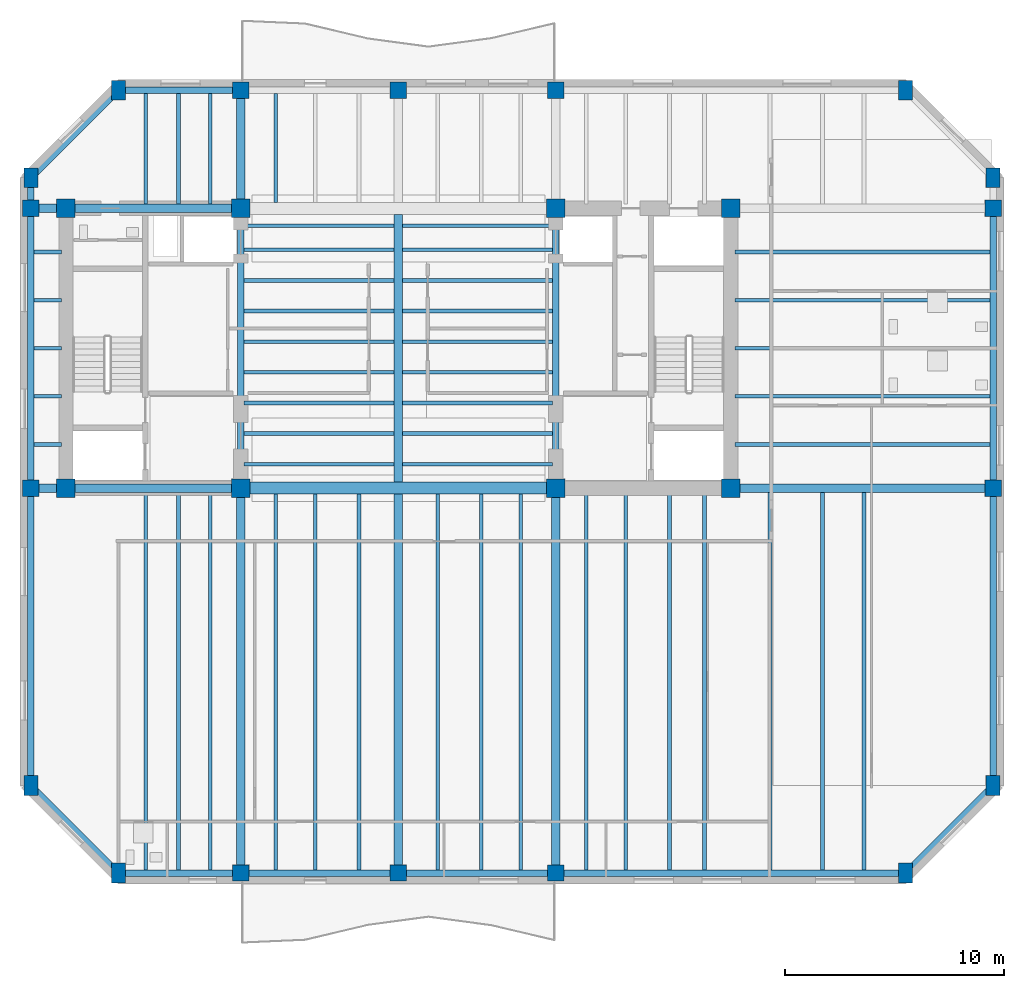
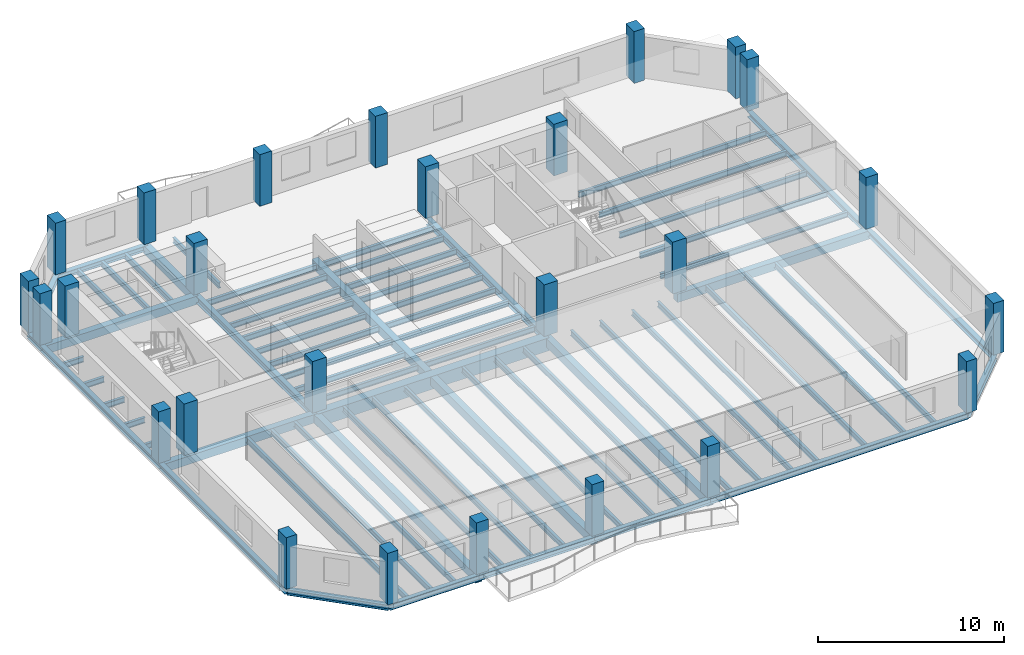
# One storey, part 1 of 9: 72 beams, 26 columns.
"""IFC4 building model written with IfcOpenShell, lengths in metres."""

from ifc_helpers import new_model, si_unit, direction, frame, origin, origin_2d, place, context, subcontext, project, spatial, rectangle, i_section, extrude, material, material_profile, profile_set, type_object, element, save


model = new_model("IFC4")

# Units and contexts
model_context = context("Model", 3, precision=1e-05, world=origin(), true_north=direction((0.0, 1.0)))
body_context = subcontext(model_context, "Body", "Model", "MODEL_VIEW")
ifc_project = project(units=[si_unit("LENGTHUNIT", "METRE"), si_unit("AREAUNIT", "SQUARE_METRE"), si_unit("VOLUMEUNIT", "CUBIC_METRE"), si_unit("PLANEANGLEUNIT", "RADIAN"), si_unit("MASSUNIT", "GRAM", prefix="KILO")], contexts=[model_context])

# Site, building, storey
site_placement = place(None, origin())
site = spatial("IfcSite", under=ifc_project, at=site_placement, CompositionType="ELEMENT")
building_placement = place(site_placement, origin())
building = spatial("IfcBuilding", under=site, at=building_placement, Name="Kranthara Brick Stack", CompositionType="ELEMENT")
storey_placement = place(building_placement, frame((0.0, 0.0, 238.10009765625)))
storey = spatial("IfcBuildingStorey", under=building, at=storey_placement, Name="L62", CompositionType="ELEMENT", Elevation=238.10009765625)

# Columns
ifc_material_1 = material(Name="Concrete C50/60", Category="concrete")
ifc_material_profile_1 = material_profile(ifc_material_1, rectangle(XDim=0.64990234375, YDim=0.89990234375, at=origin_2d()), Name="RC 650x900")
ifc_profile_set_1 = profile_set([ifc_material_profile_1], Name="Concrete C50/60")
column_type_1 = type_object("IfcColumnType", Name="COL-CHAM-650x900", PredefinedType="COLUMN", material=ifc_profile_set_1)
for number, where, z_axis, x_axis, name in (
    (1, (15.199951171875, 3.199951171875, 0.0), (0.0, 0.0, 1.0), (1.0, 0.0, 0.0), "L62 Column 09"),
    (2, (15.199951171875, 39.0, 0.0), (0.0, 0.0, 1.0), (1.0, 0.0, 0.0), "L62 Column 10"),
    (3, (51.199951171875, 3.199951171875, 0.0), (0.0, 0.0, 1.0), (1.0, 0.0, 0.0), "L62 Column 17"),
    (4, (51.199951171875, 39.0, 0.0), (0.0, 0.0, 1.0), (1.0, 0.0, 0.0), "L62 Column 18"),
    (5, (11.199951171875, 7.199951171875, 0.0), (0.0, 0.0, 1.0), (1.0, 0.0, 0.0), "L62 Column 19"),
    (6, (55.199951171875, 7.199951171875, 0.0), (0.0, 0.0, 1.0), (1.0, 0.0, 0.0), "L62 Column 20"),
    (7, (11.199951171875, 35.0, 0.0), (0.0, 0.0, 1.0), (1.0, 0.0, 0.0), "L62 Column 25"),
    (8, (55.199951171875, 35.0, 0.0), (0.0, 0.0, 1.0), (1.0, 0.0, 0.0), "L62 Column 26"),
):
    element("IfcColumn", number, at=place(storey_placement, frame(where, z_axis=z_axis, x_axis=x_axis)), inside=storey, type_object=column_type_1, Name=name, PredefinedType="COLUMN", context=body_context, shape_type="SweptSolid", body=[
        extrude(rectangle(XDim=0.64990234375, YDim=0.89990234375, at=origin_2d()), origin(), (0.0, 0.0, 1.0), 3.39990234375),
    ])
ifc_material_2 = material(Name="Concrete C50/60", Category="concrete")
ifc_material_profile_2 = material_profile(ifc_material_2, rectangle(XDim=0.85009765625, YDim=0.85009765625, at=origin_2d()), Name="RC 850x850")
ifc_profile_set_2 = profile_set([ifc_material_profile_2], Name="Concrete C50/60")
column_type_2 = type_object("IfcColumnType", Name="COL-CORE-850", PredefinedType="COLUMN", material=ifc_profile_set_2)
for number, where, z_axis, x_axis, name in (
    (9, (12.800048828125, 20.800048828125, 0.0), (0.0, 0.0, 1.0), (1.0, 0.0, 0.0), "L62 Column 01"),
    (10, (20.800048828125, 20.800048828125, 0.0), (0.0, 0.0, 1.0), (1.0, 0.0, 0.0), "L62 Column 02"),
    (11, (12.800048828125, 33.60009765625, 0.0), (0.0, 0.0, 1.0), (1.0, 0.0, 0.0), "L62 Column 03"),
    (12, (20.800048828125, 33.60009765625, 0.0), (0.0, 0.0, 1.0), (1.0, 0.0, 0.0), "L62 Column 04"),
    (13, (35.199951171875, 20.800048828125, 0.0), (0.0, 0.0, 1.0), (1.0, 0.0, 0.0), "L62 Column 05"),
    (14, (43.199951171875, 20.800048828125, 0.0), (0.0, 0.0, 1.0), (1.0, 0.0, 0.0), "L62 Column 06"),
    (15, (35.199951171875, 33.60009765625, 0.0), (0.0, 0.0, 1.0), (1.0, 0.0, 0.0), "L62 Column 07"),
    (16, (43.199951171875, 33.60009765625, 0.0), (0.0, 0.0, 1.0), (1.0, 0.0, 0.0), "L62 Column 08"),
):
    element("IfcColumn", number, at=place(storey_placement, frame(where, z_axis=z_axis, x_axis=x_axis)), inside=storey, type_object=column_type_2, Name=name, PredefinedType="COLUMN", context=body_context, shape_type="SweptSolid", body=[
        extrude(rectangle(XDim=0.85009765625, YDim=0.85009765625, at=origin_2d()), origin(), (0.0, 0.0, 1.0), 3.39990234375),
    ])
ifc_material_3 = material(Name="Concrete C50/60", Category="concrete")
ifc_material_profile_3 = material_profile(ifc_material_3, rectangle(XDim=0.75, YDim=0.75, at=origin_2d()), Name="RC 750x750")
ifc_profile_set_3 = profile_set([ifc_material_profile_3], Name="Concrete C50/60")
column_type_3 = type_object("IfcColumnType", Name="COL-PER-750", PredefinedType="COLUMN", material=ifc_profile_set_3)
for number, where, z_axis, x_axis, name in (
    (17, (20.800048828125, 3.199951171875, 0.0), (0.0, 0.0, 1.0), (1.0, 0.0, 0.0), "L62 Column 11"),
    (18, (20.800048828125, 39.0, 0.0), (0.0, 0.0, 1.0), (1.0, 0.0, 0.0), "L62 Column 12"),
    (19, (28.0, 3.199951171875, 0.0), (0.0, 0.0, 1.0), (1.0, 0.0, 0.0), "L62 Column 13"),
    (20, (28.0, 39.0, 0.0), (0.0, 0.0, 1.0), (1.0, 0.0, 0.0), "L62 Column 14"),
    (21, (35.199951171875, 3.199951171875, 0.0), (0.0, 0.0, 1.0), (1.0, 0.0, 0.0), "L62 Column 15"),
    (22, (35.199951171875, 39.0, 0.0), (0.0, 0.0, 1.0), (1.0, 0.0, 0.0), "L62 Column 16"),
    (23, (11.199951171875, 20.800048828125, 0.0), (0.0, 0.0, 1.0), (1.0, 0.0, 0.0), "L62 Column 21"),
    (24, (55.199951171875, 20.800048828125, 0.0), (0.0, 0.0, 1.0), (1.0, 0.0, 0.0), "L62 Column 22"),
    (25, (11.199951171875, 33.60009765625, 0.0), (0.0, 0.0, 1.0), (1.0, 0.0, 0.0), "L62 Column 23"),
    (26, (55.199951171875, 33.60009765625, 0.0), (0.0, 0.0, 1.0), (1.0, 0.0, 0.0), "L62 Column 24"),
):
    element("IfcColumn", number, at=place(storey_placement, frame(where, z_axis=z_axis, x_axis=x_axis)), inside=storey, type_object=column_type_3, Name=name, PredefinedType="COLUMN", context=body_context, shape_type="SweptSolid", body=[
        extrude(rectangle(XDim=0.75, YDim=0.75, at=origin_2d()), origin(), (0.0, 0.0, 1.0), 3.39990234375),
    ])

# Beams
ifc_material_4 = material(Name="Concrete C50/60", Category="concrete")
ifc_material_profile_4 = material_profile(ifc_material_4, rectangle(XDim=0.550048828125, YDim=0.85009765625, at=origin_2d()), Name="RC 550x850")
ifc_profile_set_4 = profile_set([ifc_material_profile_4], Name="Concrete C50/60")
beam_type_1 = type_object("IfcBeamType", Name="BM-CPL-RC850", PredefinedType="LINTEL", material=ifc_profile_set_4)
beam_1_placement = place(storey_placement, frame((20.800048828125, 20.800048828125, -0.72509765625), z_axis=(1.0, 0.0, 0.0), x_axis=(0.0, 1.0, 0.0)))
element("IfcBeam", 27, at=beam_1_placement, inside=storey, type_object=beam_type_1, Name="L62 Core Coupling Beam 001", PredefinedType="LINTEL", context=body_context, shape_type="SweptSolid", body=[
    extrude(rectangle(XDim=0.550048828125, YDim=0.85009765625, at=origin_2d()), origin(), (0.0, 0.0, 1.0), 14.39990234375),
])
ifc_material_5 = material(Name="Post-tensioned concrete C45/55", Category="concrete")
ifc_material_profile_5 = material_profile(ifc_material_5, rectangle(XDim=0.39990234375, YDim=0.550048828125, at=origin_2d()), Name="PT 400x550")
ifc_profile_set_5 = profile_set([ifc_material_profile_5], Name="Post-tensioned concrete C45/55")
beam_type_2 = type_object("IfcBeamType", Name="BM-FLR-PT550", PredefinedType="BEAM", material=ifc_profile_set_5)
beam_2_placement = place(storey_placement, frame((20.800048828125, 3.199951171875, -0.5751953125), z_axis=(0.0, 1.0, 0.0), x_axis=(-1.0, 0.0, 0.0)))
element("IfcBeam", 28, at=beam_2_placement, inside=storey, type_object=beam_type_2, Name="L62 Primary Grid Girder 023", PredefinedType="BEAM", context=body_context, shape_type="SweptSolid", body=[
    extrude(rectangle(XDim=0.39990234375, YDim=0.550048828125, at=origin_2d()), origin(), (0.0, 0.0, 1.0), 17.60009765625),
])
beam_3_placement = place(storey_placement, frame((20.800048828125, 33.60009765625, -0.5751953125), z_axis=(0.0, 1.0, 0.0), x_axis=(-1.0, 0.0, 0.0)))
element("IfcBeam", 29, at=beam_3_placement, inside=storey, type_object=beam_type_2, Name="L62 Primary Grid Girder 024", PredefinedType="BEAM", context=body_context, shape_type="SweptSolid", body=[
    extrude(rectangle(XDim=0.39990234375, YDim=0.550048828125, at=origin_2d()), origin(), (0.0, 0.0, 1.0), 5.39990234375),
])
beam_4_placement = place(storey_placement, frame((28.0, 3.199951171875, -0.5751953125), z_axis=(0.0, 1.0, 0.0), x_axis=(-1.0, 0.0, 0.0)))
element("IfcBeam", 30, at=beam_4_placement, inside=storey, type_object=beam_type_2, Name="L62 Primary Grid Girder 025", PredefinedType="BEAM", context=body_context, shape_type="SweptSolid", body=[
    extrude(rectangle(XDim=0.39990234375, YDim=0.550048828125, at=origin_2d()), origin(), (0.0, 0.0, 1.0), 17.324951171875),
])
beam_5_placement = place(storey_placement, frame((28.0, 21.074951171875, -0.5751953125), z_axis=(0.0, 1.0, 0.0), x_axis=(-1.0, 0.0, 0.0)))
element("IfcBeam", 31, at=beam_5_placement, inside=storey, type_object=beam_type_2, Name="L62 Central Spine Girder 026", PredefinedType="BEAM", context=body_context, shape_type="SweptSolid", body=[
    extrude(rectangle(XDim=0.39990234375, YDim=0.550048828125, at=origin_2d()), origin(), (0.0, 0.0, 1.0), 12.25),
])
beam_6_placement = place(storey_placement, frame((35.199951171875, 3.199951171875, -0.5751953125), z_axis=(0.0, 1.0, 0.0), x_axis=(-1.0, 0.0, 0.0)))
element("IfcBeam", 32, at=beam_6_placement, inside=storey, type_object=beam_type_2, Name="L62 Primary Grid Girder 028", PredefinedType="BEAM", context=body_context, shape_type="SweptSolid", body=[
    extrude(rectangle(XDim=0.39990234375, YDim=0.550048828125, at=origin_2d()), origin(), (0.0, 0.0, 1.0), 17.60009765625),
])
beam_7_placement = place(storey_placement, frame((11.199951171875, 20.800048828125, -0.5751953125), z_axis=(1.0, 0.0, 0.0), x_axis=(0.0, 1.0, 0.0)))
element("IfcBeam", 33, at=beam_7_placement, inside=storey, type_object=beam_type_2, Name="L62 Primary Grid Girder 030", PredefinedType="BEAM", context=body_context, shape_type="SweptSolid", body=[
    extrude(rectangle(XDim=0.39990234375, YDim=0.550048828125, at=origin_2d()), origin(), (0.0, 0.0, 1.0), 9.60009765625),
])
beam_8_placement = place(storey_placement, frame((43.199951171875, 20.800048828125, -0.5751953125), z_axis=(1.0, 0.0, 0.0), x_axis=(0.0, 1.0, 0.0)))
element("IfcBeam", 34, at=beam_8_placement, inside=storey, type_object=beam_type_2, Name="L62 Primary Grid Girder 031", PredefinedType="BEAM", context=body_context, shape_type="SweptSolid", body=[
    extrude(rectangle(XDim=0.39990234375, YDim=0.550048828125, at=origin_2d()), origin(), (0.0, 0.0, 1.0), 12.0),
])
beam_9_placement = place(storey_placement, frame((11.199951171875, 33.60009765625, -0.5751953125), z_axis=(1.0, 0.0, 0.0), x_axis=(0.0, 1.0, 0.0)))
element("IfcBeam", 35, at=beam_9_placement, inside=storey, type_object=beam_type_2, Name="L62 Primary Grid Girder 032", PredefinedType="BEAM", context=body_context, shape_type="SweptSolid", body=[
    extrude(rectangle(XDim=0.39990234375, YDim=0.550048828125, at=origin_2d()), origin(), (0.0, 0.0, 1.0), 9.60009765625),
])
ifc_material_6 = material(Name="Steel S355", Category="steel")
ifc_material_profile_6 = material_profile(ifc_material_6, i_section(OverallWidth=0.169921875, OverallDepth=0.360107421875, WebThickness=0.008056640625, FlangeThickness=0.0126953125, at=origin_2d()), Name="IPE 360")
ifc_profile_set_6 = profile_set([ifc_material_profile_6], Name="Steel S355")
beam_type_3 = type_object("IfcBeamType", Name="BM-JST-IPE360", PredefinedType="JOIST", material=ifc_profile_set_6)
for number, where, z_axis, x_axis, name in (
    (36, (20.949951171875, 21.89990234375, -0.47998046875), (1.0, 0.0, 0.0), (0.0, 1.0, 0.0), "L62 Central Floor Joist 034"),
    (37, (28.199951171875, 21.89990234375, -0.47998046875), (1.0, 0.0, 0.0), (0.0, 1.0, 0.0), "L62 Central Floor Joist 035"),
    (38, (20.949951171875, 23.300048828125, -0.47998046875), (1.0, 0.0, 0.0), (0.0, 1.0, 0.0), "L62 Central Floor Joist 036"),
    (39, (28.199951171875, 23.300048828125, -0.47998046875), (1.0, 0.0, 0.0), (0.0, 1.0, 0.0), "L62 Central Floor Joist 037"),
    (40, (20.949951171875, 24.699951171875, -0.47998046875), (1.0, 0.0, 0.0), (0.0, 1.0, 0.0), "L62 Central Floor Joist 038"),
    (41, (28.199951171875, 24.699951171875, -0.47998046875), (1.0, 0.0, 0.0), (0.0, 1.0, 0.0), "L62 Central Floor Joist 039"),
    (42, (20.949951171875, 26.10009765625, -0.47998046875), (1.0, 0.0, 0.0), (0.0, 1.0, 0.0), "L62 Central Floor Joist 040"),
    (43, (28.199951171875, 26.10009765625, -0.47998046875), (1.0, 0.0, 0.0), (0.0, 1.0, 0.0), "L62 Central Floor Joist 041"),
    (44, (20.949951171875, 27.5, -0.47998046875), (1.0, 0.0, 0.0), (0.0, 1.0, 0.0), "L62 Central Floor Joist 042"),
    (45, (28.199951171875, 27.5, -0.47998046875), (1.0, 0.0, 0.0), (0.0, 1.0, 0.0), "L62 Central Floor Joist 043"),
    (46, (20.949951171875, 28.89990234375, -0.47998046875), (1.0, 0.0, 0.0), (0.0, 1.0, 0.0), "L62 Central Floor Joist 044"),
    (47, (28.199951171875, 28.89990234375, -0.47998046875), (1.0, 0.0, 0.0), (0.0, 1.0, 0.0), "L62 Central Floor Joist 045"),
    (48, (20.949951171875, 30.300048828125, -0.47998046875), (1.0, 0.0, 0.0), (0.0, 1.0, 0.0), "L62 Central Floor Joist 046"),
    (49, (28.199951171875, 30.300048828125, -0.47998046875), (1.0, 0.0, 0.0), (0.0, 1.0, 0.0), "L62 Central Floor Joist 047"),
    (50, (20.949951171875, 31.699951171875, -0.47998046875), (1.0, 0.0, 0.0), (0.0, 1.0, 0.0), "L62 Central Floor Joist 048"),
    (51, (28.199951171875, 31.699951171875, -0.47998046875), (1.0, 0.0, 0.0), (0.0, 1.0, 0.0), "L62 Central Floor Joist 049"),
    (52, (20.949951171875, 32.800048828125, -0.47998046875), (1.0, 0.0, 0.0), (0.0, 1.0, 0.0), "L62 Central Floor Joist 050"),
    (53, (28.199951171875, 32.800048828125, -0.47998046875), (1.0, 0.0, 0.0), (0.0, 1.0, 0.0), "L62 Central Floor Joist 051"),
):
    element("IfcBeam", number, at=place(storey_placement, frame(where, z_axis=z_axis, x_axis=x_axis)), inside=storey, type_object=beam_type_3, Name=name, PredefinedType="JOIST", context=body_context, shape_type="SweptSolid", body=[
        extrude(i_section(OverallWidth=0.169921875, OverallDepth=0.360107421875, WebThickness=0.008056640625, FlangeThickness=0.0126953125, at=origin_2d()), origin(), (0.0, 0.0, 1.0), 6.85009765625),
    ])
beam_10_placement = place(storey_placement, frame((16.449951171875, 3.35009765625, -0.47998046875), z_axis=(0.0, 1.0, 0.0), x_axis=(-1.0, 0.0, 0.0)))
element("IfcBeam", 54, at=beam_10_placement, inside=storey, type_object=beam_type_3, Name="L62 South Wing Floor Joist 052", PredefinedType="JOIST", context=body_context, shape_type="SweptSolid", body=[
    extrude(i_section(OverallWidth=0.169921875, OverallDepth=0.360107421875, WebThickness=0.008056640625, FlangeThickness=0.0126953125, at=origin_2d()), origin(), (0.0, 0.0, 1.0), 17.25),
])
beam_11_placement = place(storey_placement, frame((16.449951171875, 33.800048828125, -0.47998046875), z_axis=(0.0, 1.0, 0.0), x_axis=(-1.0, 0.0, 0.0)))
element("IfcBeam", 55, at=beam_11_placement, inside=storey, type_object=beam_type_3, Name="L62 North Wing Floor Joist 053", PredefinedType="JOIST", context=body_context, shape_type="SweptSolid", body=[
    extrude(i_section(OverallWidth=0.169921875, OverallDepth=0.360107421875, WebThickness=0.008056640625, FlangeThickness=0.0126953125, at=origin_2d()), origin(), (0.0, 0.0, 1.0), 5.050048828125),
])
beam_12_placement = place(storey_placement, frame((17.949951171875, 3.35009765625, -0.47998046875), z_axis=(0.0, 1.0, 0.0), x_axis=(-1.0, 0.0, 0.0)))
element("IfcBeam", 56, at=beam_12_placement, inside=storey, type_object=beam_type_3, Name="L62 South Wing Floor Joist 054", PredefinedType="JOIST", context=body_context, shape_type="SweptSolid", body=[
    extrude(i_section(OverallWidth=0.169921875, OverallDepth=0.360107421875, WebThickness=0.008056640625, FlangeThickness=0.0126953125, at=origin_2d()), origin(), (0.0, 0.0, 1.0), 17.25),
])
beam_13_placement = place(storey_placement, frame((17.949951171875, 33.800048828125, -0.47998046875), z_axis=(0.0, 1.0, 0.0), x_axis=(-1.0, 0.0, 0.0)))
element("IfcBeam", 57, at=beam_13_placement, inside=storey, type_object=beam_type_3, Name="L62 North Wing Floor Joist 055", PredefinedType="JOIST", context=body_context, shape_type="SweptSolid", body=[
    extrude(i_section(OverallWidth=0.169921875, OverallDepth=0.360107421875, WebThickness=0.008056640625, FlangeThickness=0.0126953125, at=origin_2d()), origin(), (0.0, 0.0, 1.0), 5.050048828125),
])
beam_14_placement = place(storey_placement, frame((19.39990234375, 3.35009765625, -0.47998046875), z_axis=(0.0, 1.0, 0.0), x_axis=(-1.0, 0.0, 0.0)))
element("IfcBeam", 58, at=beam_14_placement, inside=storey, type_object=beam_type_3, Name="L62 South Wing Floor Joist 056", PredefinedType="JOIST", context=body_context, shape_type="SweptSolid", body=[
    extrude(i_section(OverallWidth=0.169921875, OverallDepth=0.360107421875, WebThickness=0.008056640625, FlangeThickness=0.0126953125, at=origin_2d()), origin(), (0.0, 0.0, 1.0), 17.25),
])
beam_15_placement = place(storey_placement, frame((19.39990234375, 33.800048828125, -0.47998046875), z_axis=(0.0, 1.0, 0.0), x_axis=(-1.0, 0.0, 0.0)))
element("IfcBeam", 59, at=beam_15_placement, inside=storey, type_object=beam_type_3, Name="L62 North Wing Floor Joist 057", PredefinedType="JOIST", context=body_context, shape_type="SweptSolid", body=[
    extrude(i_section(OverallWidth=0.169921875, OverallDepth=0.360107421875, WebThickness=0.008056640625, FlangeThickness=0.0126953125, at=origin_2d()), origin(), (0.0, 0.0, 1.0), 5.050048828125),
])
beam_16_placement = place(storey_placement, frame((22.39990234375, 3.35009765625, -0.47998046875), z_axis=(0.0, 1.0, 0.0), x_axis=(-1.0, 0.0, 0.0)))
element("IfcBeam", 60, at=beam_16_placement, inside=storey, type_object=beam_type_3, Name="L62 South Wing Floor Joist 058", PredefinedType="JOIST", context=body_context, shape_type="SweptSolid", body=[
    extrude(i_section(OverallWidth=0.169921875, OverallDepth=0.360107421875, WebThickness=0.008056640625, FlangeThickness=0.0126953125, at=origin_2d()), origin(), (0.0, 0.0, 1.0), 17.1748046875),
])
beam_17_placement = place(storey_placement, frame((22.39990234375, 33.875, -0.47998046875), z_axis=(0.0, 1.0, 0.0), x_axis=(-1.0, 0.0, 0.0)))
element("IfcBeam", 61, at=beam_17_placement, inside=storey, type_object=beam_type_3, Name="L62 North Wing Floor Joist 059", PredefinedType="JOIST", context=body_context, shape_type="SweptSolid", body=[
    extrude(i_section(OverallWidth=0.169921875, OverallDepth=0.360107421875, WebThickness=0.008056640625, FlangeThickness=0.0126953125, at=origin_2d()), origin(), (0.0, 0.0, 1.0), 4.97509765625),
])
for number, where, z_axis, x_axis, name in (
    (62, (24.199951171875, 3.35009765625, -0.47998046875), (0.0, 1.0, 0.0), (-1.0, 0.0, 0.0), "L62 South Wing Floor Joist 060"),
    (63, (26.199951171875, 3.35009765625, -0.47998046875), (0.0, 1.0, 0.0), (-1.0, 0.0, 0.0), "L62 South Wing Floor Joist 062"),
    (64, (29.800048828125, 3.35009765625, -0.47998046875), (0.0, 1.0, 0.0), (-1.0, 0.0, 0.0), "L62 South Wing Floor Joist 064"),
    (65, (31.800048828125, 3.35009765625, -0.47998046875), (0.0, 1.0, 0.0), (-1.0, 0.0, 0.0), "L62 South Wing Floor Joist 066"),
    (66, (33.60009765625, 3.35009765625, -0.47998046875), (0.0, 1.0, 0.0), (-1.0, 0.0, 0.0), "L62 South Wing Floor Joist 068"),
):
    element("IfcBeam", number, at=place(storey_placement, frame(where, z_axis=z_axis, x_axis=x_axis)), inside=storey, type_object=beam_type_3, Name=name, PredefinedType="JOIST", context=body_context, shape_type="SweptSolid", body=[
        extrude(i_section(OverallWidth=0.169921875, OverallDepth=0.360107421875, WebThickness=0.008056640625, FlangeThickness=0.0126953125, at=origin_2d()), origin(), (0.0, 0.0, 1.0), 17.1748046875),
    ])
for number, where, z_axis, x_axis, name in (
    (67, (36.60009765625, 3.35009765625, -0.47998046875), (0.0, 1.0, 0.0), (-1.0, 0.0, 0.0), "L62 South Wing Floor Joist 070"),
    (68, (38.39990234375, 3.35009765625, -0.47998046875), (0.0, 1.0, 0.0), (-1.0, 0.0, 0.0), "L62 South Wing Floor Joist 072"),
    (69, (40.39990234375, 3.35009765625, -0.47998046875), (0.0, 1.0, 0.0), (-1.0, 0.0, 0.0), "L62 South Wing Floor Joist 074"),
    (70, (42.0, 3.35009765625, -0.47998046875), (0.0, 1.0, 0.0), (-1.0, 0.0, 0.0), "L62 South Wing Floor Joist 076"),
    (71, (45.0, 3.35009765625, -0.47998046875), (0.0, 1.0, 0.0), (-1.0, 0.0, 0.0), "L62 South Wing Floor Joist 078"),
    (72, (47.39990234375, 3.35009765625, -0.47998046875), (0.0, 1.0, 0.0), (-1.0, 0.0, 0.0), "L62 South Wing Floor Joist 080"),
    (73, (49.300048828125, 3.35009765625, -0.47998046875), (0.0, 1.0, 0.0), (-1.0, 0.0, 0.0), "L62 South Wing Floor Joist 082"),
):
    element("IfcBeam", number, at=place(storey_placement, frame(where, z_axis=z_axis, x_axis=x_axis)), inside=storey, type_object=beam_type_3, Name=name, PredefinedType="JOIST", context=body_context, shape_type="SweptSolid", body=[
        extrude(i_section(OverallWidth=0.169921875, OverallDepth=0.360107421875, WebThickness=0.008056640625, FlangeThickness=0.0126953125, at=origin_2d()), origin(), (0.0, 0.0, 1.0), 17.25),
    ])
beam_18_placement = place(storey_placement, frame((11.35009765625, 22.800048828125, -0.47998046875), z_axis=(1.0, 0.0, 0.0), x_axis=(0.0, 1.0, 0.0)))
element("IfcBeam", 74, at=beam_18_placement, inside=storey, type_object=beam_type_3, Name="L62 West Wing Floor Joist 084", PredefinedType="JOIST", context=body_context, shape_type="SweptSolid", body=[
    extrude(i_section(OverallWidth=0.169921875, OverallDepth=0.360107421875, WebThickness=0.008056640625, FlangeThickness=0.0126953125, at=origin_2d()), origin(), (0.0, 0.0, 1.0), 1.25),
])
beam_19_placement = place(storey_placement, frame((43.39990234375, 22.800048828125, -0.47998046875), z_axis=(1.0, 0.0, 0.0), x_axis=(0.0, 1.0, 0.0)))
element("IfcBeam", 75, at=beam_19_placement, inside=storey, type_object=beam_type_3, Name="L62 East Wing Floor Joist 085", PredefinedType="JOIST", context=body_context, shape_type="SweptSolid", body=[
    extrude(i_section(OverallWidth=0.169921875, OverallDepth=0.360107421875, WebThickness=0.008056640625, FlangeThickness=0.0126953125, at=origin_2d()), origin(), (0.0, 0.0, 1.0), 11.650146484375),
])
beam_20_placement = place(storey_placement, frame((11.35009765625, 25.0, -0.47998046875), z_axis=(1.0, 0.0, 0.0), x_axis=(0.0, 1.0, 0.0)))
element("IfcBeam", 76, at=beam_20_placement, inside=storey, type_object=beam_type_3, Name="L62 West Wing Floor Joist 086", PredefinedType="JOIST", context=body_context, shape_type="SweptSolid", body=[
    extrude(i_section(OverallWidth=0.169921875, OverallDepth=0.360107421875, WebThickness=0.008056640625, FlangeThickness=0.0126953125, at=origin_2d()), origin(), (0.0, 0.0, 1.0), 1.25),
])
beam_21_placement = place(storey_placement, frame((43.39990234375, 25.0, -0.47998046875), z_axis=(1.0, 0.0, 0.0), x_axis=(0.0, 1.0, 0.0)))
element("IfcBeam", 77, at=beam_21_placement, inside=storey, type_object=beam_type_3, Name="L62 East Wing Floor Joist 087", PredefinedType="JOIST", context=body_context, shape_type="SweptSolid", body=[
    extrude(i_section(OverallWidth=0.169921875, OverallDepth=0.360107421875, WebThickness=0.008056640625, FlangeThickness=0.0126953125, at=origin_2d()), origin(), (0.0, 0.0, 1.0), 11.650146484375),
])
beam_22_placement = place(storey_placement, frame((11.35009765625, 27.199951171875, -0.47998046875), z_axis=(1.0, 0.0, 0.0), x_axis=(0.0, 1.0, 0.0)))
element("IfcBeam", 78, at=beam_22_placement, inside=storey, type_object=beam_type_3, Name="L62 West Wing Floor Joist 088", PredefinedType="JOIST", context=body_context, shape_type="SweptSolid", body=[
    extrude(i_section(OverallWidth=0.169921875, OverallDepth=0.360107421875, WebThickness=0.008056640625, FlangeThickness=0.0126953125, at=origin_2d()), origin(), (0.0, 0.0, 1.0), 1.25),
])
beam_23_placement = place(storey_placement, frame((43.39990234375, 27.199951171875, -0.47998046875), z_axis=(1.0, 0.0, 0.0), x_axis=(0.0, 1.0, 0.0)))
element("IfcBeam", 79, at=beam_23_placement, inside=storey, type_object=beam_type_3, Name="L62 East Wing Floor Joist 089", PredefinedType="JOIST", context=body_context, shape_type="SweptSolid", body=[
    extrude(i_section(OverallWidth=0.169921875, OverallDepth=0.360107421875, WebThickness=0.008056640625, FlangeThickness=0.0126953125, at=origin_2d()), origin(), (0.0, 0.0, 1.0), 11.650146484375),
])
beam_24_placement = place(storey_placement, frame((11.35009765625, 29.39990234375, -0.47998046875), z_axis=(1.0, 0.0, 0.0), x_axis=(0.0, 1.0, 0.0)))
element("IfcBeam", 80, at=beam_24_placement, inside=storey, type_object=beam_type_3, Name="L62 West Wing Floor Joist 090", PredefinedType="JOIST", context=body_context, shape_type="SweptSolid", body=[
    extrude(i_section(OverallWidth=0.169921875, OverallDepth=0.360107421875, WebThickness=0.008056640625, FlangeThickness=0.0126953125, at=origin_2d()), origin(), (0.0, 0.0, 1.0), 1.25),
])
beam_25_placement = place(storey_placement, frame((43.39990234375, 29.39990234375, -0.47998046875), z_axis=(1.0, 0.0, 0.0), x_axis=(0.0, 1.0, 0.0)))
element("IfcBeam", 81, at=beam_25_placement, inside=storey, type_object=beam_type_3, Name="L62 East Wing Floor Joist 091", PredefinedType="JOIST", context=body_context, shape_type="SweptSolid", body=[
    extrude(i_section(OverallWidth=0.169921875, OverallDepth=0.360107421875, WebThickness=0.008056640625, FlangeThickness=0.0126953125, at=origin_2d()), origin(), (0.0, 0.0, 1.0), 11.650146484375),
])
beam_26_placement = place(storey_placement, frame((11.35009765625, 31.60009765625, -0.47998046875), z_axis=(1.0, 0.0, 0.0), x_axis=(0.0, 1.0, 0.0)))
element("IfcBeam", 82, at=beam_26_placement, inside=storey, type_object=beam_type_3, Name="L62 West Wing Floor Joist 092", PredefinedType="JOIST", context=body_context, shape_type="SweptSolid", body=[
    extrude(i_section(OverallWidth=0.169921875, OverallDepth=0.360107421875, WebThickness=0.008056640625, FlangeThickness=0.0126953125, at=origin_2d()), origin(), (0.0, 0.0, 1.0), 1.25),
])
beam_27_placement = place(storey_placement, frame((43.39990234375, 31.60009765625, -0.47998046875), z_axis=(1.0, 0.0, 0.0), x_axis=(0.0, 1.0, 0.0)))
element("IfcBeam", 83, at=beam_27_placement, inside=storey, type_object=beam_type_3, Name="L62 East Wing Floor Joist 093", PredefinedType="JOIST", context=body_context, shape_type="SweptSolid", body=[
    extrude(i_section(OverallWidth=0.169921875, OverallDepth=0.360107421875, WebThickness=0.008056640625, FlangeThickness=0.0126953125, at=origin_2d()), origin(), (0.0, 0.0, 1.0), 11.650146484375),
])
ifc_material_7 = material(Name="Steel S355", Category="steel")
ifc_material_profile_7 = material_profile(ifc_material_7, i_section(OverallWidth=0.300048828125, OverallDepth=0.360107421875, WebThickness=0.012451171875, FlangeThickness=0.0224609375, at=origin_2d()), Name="HEB 360")
ifc_profile_set_7 = profile_set([ifc_material_profile_7], Name="Steel S355")
beam_type_4 = type_object("IfcBeamType", Name="BM-STL-HEB360", PredefinedType="SPANDREL", material=ifc_profile_set_7)
beam_28_placement = place(storey_placement, frame((15.199951171875, 3.199951171875, -0.47998046875), z_axis=(1.0, 0.0, 0.0), x_axis=(0.0, 1.0, 0.0)))
element("IfcBeam", 84, at=beam_28_placement, inside=storey, type_object=beam_type_4, Name="L62 Perimeter Spandrel Beam 005", PredefinedType="SPANDREL", context=body_context, shape_type="SweptSolid", body=[
    extrude(i_section(OverallWidth=0.300048828125, OverallDepth=0.360107421875, WebThickness=0.012451171875, FlangeThickness=0.0224609375, at=origin_2d()), origin(), (0.0, 0.0, 1.0), 5.60009765625),
])
for number, where, z_axis, x_axis, name in (
    (85, (20.800048828125, 3.199951171875, -0.47998046875), (1.0, 0.0, 0.0), (0.0, 1.0, 0.0), "L62 Perimeter Spandrel Beam 006"),
    (86, (28.0, 3.199951171875, -0.47998046875), (1.0, 0.0, 0.0), (0.0, 1.0, 0.0), "L62 Perimeter Spandrel Beam 007"),
):
    element("IfcBeam", number, at=place(storey_placement, frame(where, z_axis=z_axis, x_axis=x_axis)), inside=storey, type_object=beam_type_4, Name=name, PredefinedType="SPANDREL", context=body_context, shape_type="SweptSolid", body=[
        extrude(i_section(OverallWidth=0.300048828125, OverallDepth=0.360107421875, WebThickness=0.012451171875, FlangeThickness=0.0224609375, at=origin_2d()), origin(), (0.0, 0.0, 1.0), 7.199951171875),
    ])
beam_29_placement = place(storey_placement, frame((35.199951171875, 3.199951171875, -0.47998046875), z_axis=(1.0, 0.0, 0.0), x_axis=(0.0, 1.0, 0.0)))
element("IfcBeam", 87, at=beam_29_placement, inside=storey, type_object=beam_type_4, Name="L62 Perimeter Spandrel Beam 008", PredefinedType="SPANDREL", context=body_context, shape_type="SweptSolid", body=[
    extrude(i_section(OverallWidth=0.300048828125, OverallDepth=0.360107421875, WebThickness=0.012451171875, FlangeThickness=0.0224609375, at=origin_2d()), origin(), (0.0, 0.0, 1.0), 16.0),
])
beam_30_placement = place(storey_placement, frame((15.199951171875, 39.0, -0.47998046875), z_axis=(1.0, 0.0, 0.0), x_axis=(0.0, 1.0, 0.0)))
element("IfcBeam", 88, at=beam_30_placement, inside=storey, type_object=beam_type_4, Name="L62 Perimeter Spandrel Beam 009", PredefinedType="SPANDREL", context=body_context, shape_type="SweptSolid", body=[
    extrude(i_section(OverallWidth=0.300048828125, OverallDepth=0.360107421875, WebThickness=0.012451171875, FlangeThickness=0.0224609375, at=origin_2d()), origin(), (0.0, 0.0, 1.0), 5.60009765625),
])
beam_31_placement = place(storey_placement, frame((11.199951171875, 7.199951171875, -0.47998046875), z_axis=(0.0, 1.0, 0.0), x_axis=(-1.0, 0.0, 0.0)))
element("IfcBeam", 89, at=beam_31_placement, inside=storey, type_object=beam_type_4, Name="L62 Perimeter Spandrel Beam 013", PredefinedType="SPANDREL", context=body_context, shape_type="SweptSolid", body=[
    extrude(i_section(OverallWidth=0.300048828125, OverallDepth=0.360107421875, WebThickness=0.012451171875, FlangeThickness=0.0224609375, at=origin_2d()), origin(), (0.0, 0.0, 1.0), 13.60009765625),
])
beam_32_placement = place(storey_placement, frame((11.199951171875, 20.800048828125, -0.47998046875), z_axis=(0.0, 1.0, 0.0), x_axis=(-1.0, 0.0, 0.0)))
element("IfcBeam", 90, at=beam_32_placement, inside=storey, type_object=beam_type_4, Name="L62 Perimeter Spandrel Beam 014", PredefinedType="SPANDREL", context=body_context, shape_type="SweptSolid", body=[
    extrude(i_section(OverallWidth=0.300048828125, OverallDepth=0.360107421875, WebThickness=0.012451171875, FlangeThickness=0.0224609375, at=origin_2d()), origin(), (0.0, 0.0, 1.0), 12.800048828125),
])
beam_33_placement = place(storey_placement, frame((11.199951171875, 33.60009765625, -0.47998046875), z_axis=(0.0, 1.0, 0.0), x_axis=(-1.0, 0.0, 0.0)))
element("IfcBeam", 91, at=beam_33_placement, inside=storey, type_object=beam_type_4, Name="L62 Perimeter Spandrel Beam 015", PredefinedType="SPANDREL", context=body_context, shape_type="SweptSolid", body=[
    extrude(i_section(OverallWidth=0.300048828125, OverallDepth=0.360107421875, WebThickness=0.012451171875, FlangeThickness=0.0224609375, at=origin_2d()), origin(), (0.0, 0.0, 1.0), 1.39990234375),
])
beam_34_placement = place(storey_placement, frame((55.199951171875, 7.199951171875, -0.47998046875), z_axis=(0.0, 1.0, 0.0), x_axis=(-1.0, 0.0, 0.0)))
element("IfcBeam", 92, at=beam_34_placement, inside=storey, type_object=beam_type_4, Name="L62 Perimeter Spandrel Beam 016", PredefinedType="SPANDREL", context=body_context, shape_type="SweptSolid", body=[
    extrude(i_section(OverallWidth=0.300048828125, OverallDepth=0.360107421875, WebThickness=0.012451171875, FlangeThickness=0.0224609375, at=origin_2d()), origin(), (0.0, 0.0, 1.0), 13.60009765625),
])
beam_35_placement = place(storey_placement, frame((55.199951171875, 20.800048828125, -0.47998046875), z_axis=(0.0, 1.0, 0.0), x_axis=(-1.0, 0.0, 0.0)))
element("IfcBeam", 93, at=beam_35_placement, inside=storey, type_object=beam_type_4, Name="L62 Perimeter Spandrel Beam 017", PredefinedType="SPANDREL", context=body_context, shape_type="SweptSolid", body=[
    extrude(i_section(OverallWidth=0.300048828125, OverallDepth=0.360107421875, WebThickness=0.012451171875, FlangeThickness=0.0224609375, at=origin_2d()), origin(), (0.0, 0.0, 1.0), 12.800048828125),
])
for number, where, z_axis, x_axis, name in (
    (94, (15.199951171875, 3.199951171875, -0.47998046875), (-0.707106781187, 0.707106781187, 0.0), (-0.707106781187, -0.707106781187, 0.0), "L62 Chamfer Corner Spandrel 019"),
    (95, (51.199951171875, 3.199951171875, -0.47998046875), (0.707106781187, 0.707106781187, 0.0), (-0.707106781187, 0.707106781187, 0.0), "L62 Chamfer Corner Spandrel 020"),
    (96, (15.199951171875, 39.0, -0.47998046875), (-0.707106781187, -0.707106781187, 0.0), (0.707106781187, -0.707106781187, 0.0), "L62 Chamfer Corner Spandrel 021"),
):
    element("IfcBeam", number, at=place(storey_placement, frame(where, z_axis=z_axis, x_axis=x_axis)), inside=storey, type_object=beam_type_4, Name=name, PredefinedType="SPANDREL", context=body_context, shape_type="SweptSolid", body=[
        extrude(i_section(OverallWidth=0.300048828125, OverallDepth=0.360107421875, WebThickness=0.012451171875, FlangeThickness=0.0224609375, at=origin_2d()), origin(), (0.0, 0.0, 1.0), 5.65673828125),
    ])
ifc_material_8 = material(Name="Steel S355", Category="steel")
ifc_material_profile_8 = material_profile(ifc_material_8, i_section(OverallWidth=0.300048828125, OverallDepth=0.449951171875, WebThickness=0.013916015625, FlangeThickness=0.02587890625, at=origin_2d()), Name="HEB 450")
ifc_profile_set_8 = profile_set([ifc_material_profile_8], Name="Steel S355")
beam_type_5 = type_object("IfcBeamType", Name="BM-STL-HEB450", PredefinedType="SPANDREL", material=ifc_profile_set_8)
for number, where, z_axis, x_axis, name in (
    (97, (20.800048828125, 20.800048828125, -0.525146484375), (0.0, 1.0, 0.0), (-1.0, 0.0, 0.0), "L62 Core Edge Tie Beam 003"),
    (98, (35.199951171875, 20.800048828125, -0.525146484375), (0.0, 1.0, 0.0), (-1.0, 0.0, 0.0), "L62 Core Edge Tie Beam 004"),
):
    element("IfcBeam", number, at=place(storey_placement, frame(where, z_axis=z_axis, x_axis=x_axis)), inside=storey, type_object=beam_type_5, Name=name, PredefinedType="SPANDREL", context=body_context, shape_type="SweptSolid", body=[
        extrude(i_section(OverallWidth=0.300048828125, OverallDepth=0.449951171875, WebThickness=0.013916015625, FlangeThickness=0.02587890625, at=origin_2d()), origin(), (0.0, 0.0, 1.0), 12.800048828125),
    ])

save(model, "model.ifc")
